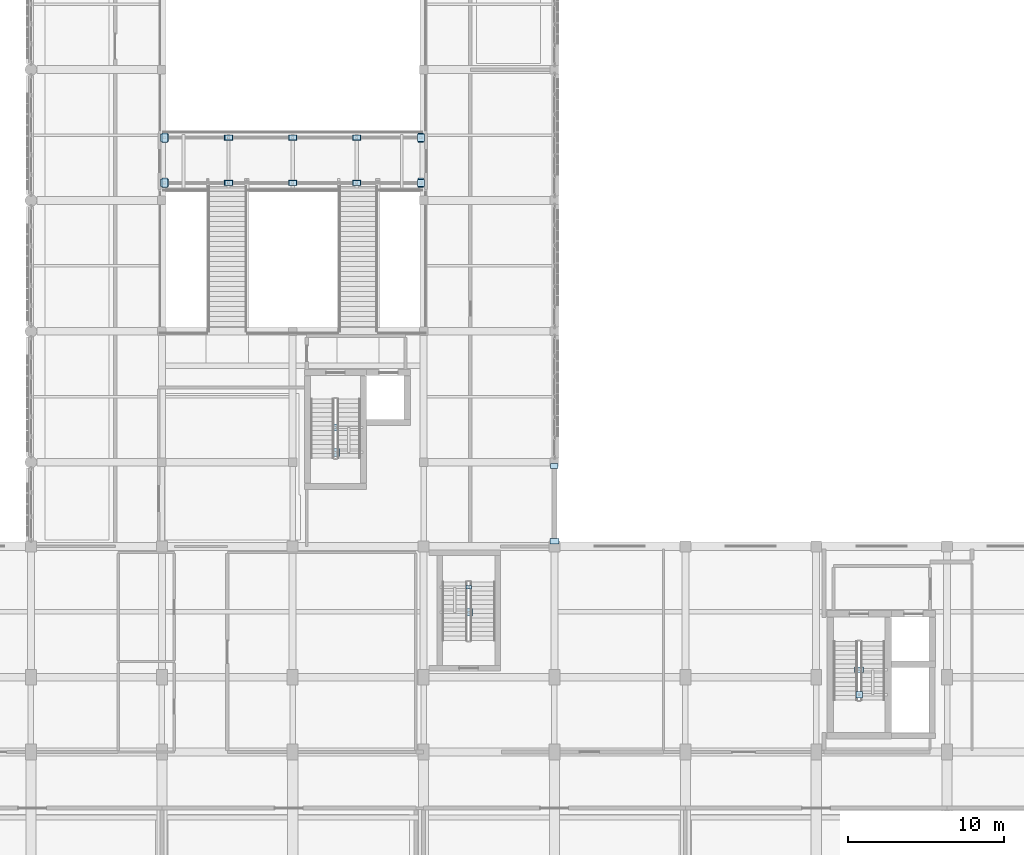
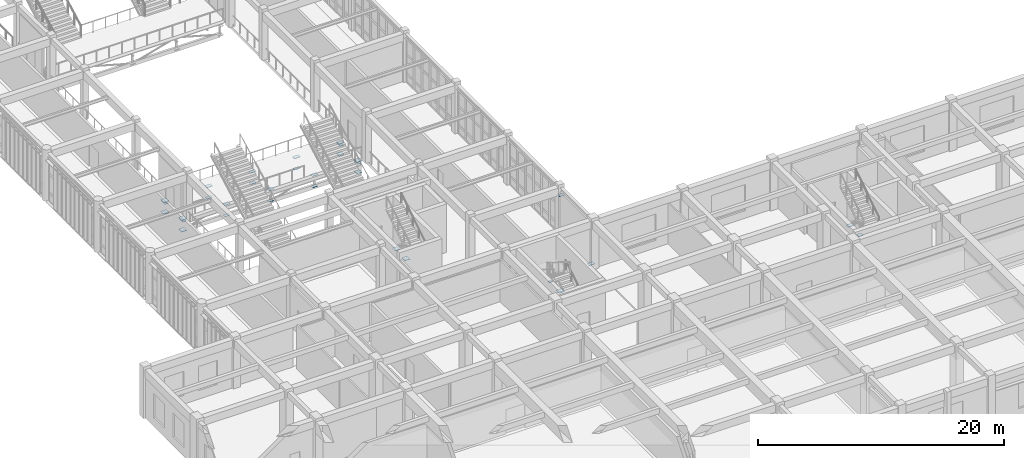
# One storey, part 80 of 106: 32 plates.
"""IFC4 building model written with IfcOpenShell, lengths in metres."""

import ifcopenshell
import ifcopenshell.guid

model = None  # the IFC model being written
_history = None  # IfcOwnerHistory: only IFC2X3 demands one
_inside = {}  # id of a spatial element -> (the spatial element, [elements in it])
_under = {}  # id of a project, library or spatial element -> (it, [spatial elements below it])
_declared = {}  # id of a project -> (the project, [libraries it declares])
_typed = {}  # id of a type object -> (the type object, [elements of that type])
_made_of = {}  # id of a material, layer set ... -> (it, [elements and type objects made of it])


def new_model(schema):
    """Start an empty IFC model of exactly this schema.

    Asked for "IFC4X3", IfcOpenShell would pick the latest addendum, in which some entities
    have other attributes; the version numbers below select the first issue.
    IFC2X3 requires an IfcOwnerHistory on every rooted entity: one is made here for all.
    """
    global model, _history
    if schema == "IFC4X3":
        model = ifcopenshell.file(schema_version=(4, 3, 0, 0))
    else:
        model = ifcopenshell.file(schema=schema)
    _inside.clear()
    _under.clear()
    _declared.clear()
    _typed.clear()
    _made_of.clear()
    _history = None
    if model.schema == "IFC2X3":
        org = make("IfcOrganization", Name="unknown")
        user = make(
            "IfcPersonAndOrganization",
            ThePerson=make("IfcPerson", FamilyName="unknown"),
            TheOrganization=org,
        )
        app = make(
            "IfcApplication",
            ApplicationDeveloper=org,
            Version="unknown",
            ApplicationFullName="unknown",
            ApplicationIdentifier="unknown",
        )
        _history = make(
            "IfcOwnerHistory",
            OwningUser=user,
            OwningApplication=app,
            ChangeAction="ADDED",
            CreationDate=0,
        )
    return model


def make(cls, **values):
    """One entity of the class cls with the attributes given. An attribute that is None is left unset."""
    return model.create_entity(
        cls, **{name: value for name, value in values.items() if value is not None}
    )


def rooted(cls, **values):
    """An entity with a GlobalId (a new one), such as an element, a storey or a relation."""
    return make(cls, GlobalId=ifcopenshell.guid.new(), OwnerHistory=_history, **values)


def si_unit(unit_type, name, prefix=None):
    """IfcSIUnit, for example si_unit("LENGTHUNIT", "METRE", prefix="MILLI")."""
    return make("IfcSIUnit", UnitType=unit_type, Prefix=prefix, Name=name)


def assignment(units):
    """IfcUnitAssignment: the units of a project."""
    return None if units is None else make("IfcUnitAssignment", Units=units)


def point(xyz):
    """IfcCartesianPoint."""
    return None if xyz is None else make("IfcCartesianPoint", Coordinates=xyz)


def direction(xyz):
    """IfcDirection."""
    return None if xyz is None else make("IfcDirection", DirectionRatios=xyz)


def frame(location, z_axis=None, x_axis=None):
    """IfcAxis2Placement3D, a coordinate frame: its origin and axes. An axis left out is left unset."""
    return make(
        "IfcAxis2Placement3D",
        Location=point(location),
        Axis=direction(z_axis),
        RefDirection=direction(x_axis),
    )


def frame_2d(location, x_axis=None):
    """IfcAxis2Placement2D, a coordinate frame in the plane: its origin and x axis."""
    return make(
        "IfcAxis2Placement2D", Location=point(location), RefDirection=direction(x_axis)
    )


def origin():
    """The frame at (0, 0, 0) with its axes left unset."""
    return frame((0.0, 0.0, 0.0))


def origin_2d():
    """The frame at (0, 0) in the plane with its x axis left unset."""
    return frame_2d((0.0, 0.0))


def place(relative_to, where):
    """IfcLocalPlacement: puts the frame where relative to a parent placement (None: the world)."""
    return make(
        "IfcLocalPlacement", PlacementRelTo=relative_to, RelativePlacement=where
    )


def context(
    kind, dimensions, precision=None, world=None, true_north=None, identifier=None
):
    """IfcGeometricRepresentationContext, for example the 3D "Model" context."""
    return make(
        "IfcGeometricRepresentationContext",
        ContextIdentifier=identifier,
        ContextType=kind,
        CoordinateSpaceDimension=dimensions,
        Precision=precision,
        WorldCoordinateSystem=world,
        TrueNorth=true_north,
    )


def subcontext(parent, identifier, kind, view, scale=None):
    """IfcGeometricRepresentationSubContext, for example "Body" below "Model"."""
    return make(
        "IfcGeometricRepresentationSubContext",
        ContextIdentifier=identifier,
        ContextType=kind,
        ParentContext=parent,
        TargetScale=scale,
        TargetView=view,
    )


def project(units=None, contexts=None):
    """IfcProject with its units and contexts."""
    return rooted(
        "IfcProject",
        Name="project",
        RepresentationContexts=contexts,
        UnitsInContext=assignment(units),
    )


def spatial(cls, under=None, at=None, **own):
    """A site, building, storey or space (cls), placed at a placement, below another one or the project."""
    s = rooted(cls, ObjectPlacement=at, **own)
    if under is not None:
        _under.setdefault(under.id(), (under, []))[1].append(s)
    return s


def profile(cls, at=None, kind="AREA", **sizes):
    """A parametric profile (cls). Its sizes go by their IFC names, for example OverallWidth=200.0."""
    return make(cls, ProfileType=kind, Position=at, **sizes)


def rectangle(**sizes):
    """IfcRectangleProfileDef."""
    return profile("IfcRectangleProfileDef", **sizes)


def extrude(swept, where, along, depth):
    """IfcExtrudedAreaSolid: the profile swept, set in the frame where, extruded along a direction by depth."""
    return make(
        "IfcExtrudedAreaSolid",
        SweptArea=swept,
        Position=where,
        ExtrudedDirection=direction(along),
        Depth=depth,
    )


def shape(context_of_items, identifier, shape_type, items):
    """IfcShapeRepresentation: the items that make up one representation, for example the "Body"."""
    return make(
        "IfcShapeRepresentation",
        ContextOfItems=context_of_items,
        RepresentationIdentifier=identifier,
        RepresentationType=shape_type,
        Items=items,
    )


def material(Name=None, Category=None):
    """IfcMaterial."""
    return make("IfcMaterial", Name=Name, Category=Category)


def layer(
    of_material, thickness, ventilated=None, Name=None, Category=None, Priority=None
):
    """IfcMaterialLayer: one layer of a wall or slab, of a material (None: an air gap)."""
    return make(
        "IfcMaterialLayer",
        Material=of_material,
        LayerThickness=thickness,
        IsVentilated=ventilated,
        Name=Name,
        Category=Category,
        Priority=Priority,
    )


def layer_set(layers, Name=None):
    """IfcMaterialLayerSet."""
    return make("IfcMaterialLayerSet", MaterialLayers=layers, LayerSetName=Name)


def made_of(thing, what):
    """Note that an element or type object is made of a material, layer set ...; save() writes the relation."""
    if what is not None:
        _made_of.setdefault(what.id(), (what, []))[1].append(thing)
    return thing


def type_object(cls, material=None, **own):
    """A type object (cls), such as IfcWallType, which elements share."""
    return made_of(rooted(cls, **own), material)


def element(
    cls,
    number,
    at=None,
    inside=None,
    cuts=None,
    type_object=None,
    material=None,
    context=None,
    identifier="Body",
    shape_type=None,
    held_by="IfcProductDefinitionShape",
    body=None,
    shapes=None,
    **own,
):
    """One element of the class cls, such as IfcWall. Its Tag is "e" and its number.

    at: its placement. inside: the storey or other place that contains it. cuts: it is an
    opening in that element (IfcRelVoidsElement). A single representation is given by context,
    identifier, shape_type and body (its items); several are given by shapes. held_by: the class
    of the entity that holds the representations. save() writes the other relations.
    """
    e = rooted(cls, Tag="e%d" % number, ObjectPlacement=at, **own)
    if body is not None:
        shapes = [shape(context, identifier, shape_type, body)]
    if shapes is not None:
        e.Representation = make(held_by, Representations=shapes)
    if inside is not None:
        _inside.setdefault(inside.id(), (inside, []))[1].append(e)
    if cuts is not None:
        rooted(
            "IfcRelVoidsElement", RelatingBuildingElement=cuts, RelatedOpeningElement=e
        )
    if type_object is not None:
        _typed.setdefault(type_object.id(), (type_object, []))[1].append(e)
    return made_of(e, material)


def aggregate(whole, parts):
    """IfcRelAggregates: a whole, such as a stair, and the parts it consists of."""
    return rooted("IfcRelAggregates", RelatingObject=whole, RelatedObjects=parts)


def save(model, path):
    """Write the relations noted so far, then the file.

    IfcRelAggregates (storeys below a building ...), IfcRelContainedInSpatialStructure (elements
    in a storey), IfcRelDefinesByType, IfcRelAssociatesMaterial and IfcRelDeclares: one each for
    every whole, place, type object, material and project.
    """
    for whole, parts in _under.values():
        aggregate(whole, parts)
    for where, things in _inside.values():
        rooted(
            "IfcRelContainedInSpatialStructure",
            RelatedElements=things,
            RelatingStructure=where,
        )
    for kind, things in _typed.values():
        rooted("IfcRelDefinesByType", RelatedObjects=things, RelatingType=kind)
    for what, things in _made_of.values():
        rooted("IfcRelAssociatesMaterial", RelatedObjects=things, RelatingMaterial=what)
    for by, libraries in _declared.values():
        rooted("IfcRelDeclares", RelatingContext=by, RelatedDefinitions=libraries)
    model.write(path)


model = new_model("IFC4")

# Units and contexts
model_context = context("Model", 3, precision=1e-05, world=origin(), true_north=direction((0.0, 1.0)))
body_context = subcontext(model_context, "Body", "Model", "MODEL_VIEW")
ifc_project = project(units=[si_unit("LENGTHUNIT", "METRE"), si_unit("AREAUNIT", "SQUARE_METRE"), si_unit("VOLUMEUNIT", "CUBIC_METRE"), si_unit("PLANEANGLEUNIT", "RADIAN"), si_unit("MASSUNIT", "GRAM", prefix="KILO")], contexts=[model_context])

# Site, building, storey
site_placement = place(None, origin())
site = spatial("IfcSite", under=ifc_project, at=site_placement, CompositionType="ELEMENT")
building_placement = place(site_placement, origin())
building = spatial("IfcBuilding", under=site, at=building_placement, Name="Krzemoval Escarpment Law Courts", CompositionType="ELEMENT")
storey_placement = place(building_placement, frame((0.0, 0.0, 5.10009765625)))
storey = spatial("IfcBuildingStorey", under=building, at=storey_placement, Name="L01", CompositionType="ELEMENT", Elevation=5.10009765625)

# Plates
ifc_material_1 = material(Name="Steel S355", Category="steel")
ifc_layer_1 = layer(ifc_material_1, 0.034912109375)
ifc_layer_set_1 = layer_set([ifc_layer_1], Name="Steel S355")
plate_type_1 = type_object("IfcPlateType", Name="PLT-BRG-SEAT360", PredefinedType="USERDEFINED", material=ifc_layer_set_1)
for number, where, z_axis, x_axis, name in (
    (1, (16.97998046875, 58.72998046875, -0.70556640625), (0.0, 0.0, 1.0), (1.0, 0.0, 0.0), "Sky-Bridge 360mm Sliding Bearing Seat BSP-0001"),
    (2, (33.419921875, 58.72998046875, -0.70556640625), (0.0, 0.0, 1.0), (1.0, 0.0, 0.0), "Sky-Bridge 360mm Sliding Bearing Seat BSP-0002"),
    (3, (16.97998046875, 61.6298828125, -0.70556640625), (0.0, 0.0, 1.0), (1.0, 0.0, 0.0), "Sky-Bridge 360mm Sliding Bearing Seat BSP-0003"),
    (4, (33.419921875, 61.6298828125, -0.70556640625), (0.0, 0.0, 1.0), (1.0, 0.0, 0.0), "Sky-Bridge 360mm Sliding Bearing Seat BSP-0004"),
):
    element("IfcPlate", number, at=place(storey_placement, frame(where, z_axis=z_axis, x_axis=x_axis)), inside=storey, type_object=plate_type_1, Name=name, ObjectType="FLANGE_PLATE", PredefinedType="USERDEFINED", context=body_context, shape_type="SweptSolid", body=[
        extrude(rectangle(XDim=0.360107421875, YDim=0.60009765625, at=origin_2d()), origin(), (0.0, 0.0, 1.0), 0.034912109375),
    ])
ifc_material_2 = material(Name="Steel S355", Category="steel")
ifc_layer_2 = layer(ifc_material_2, 0.02392578125)
ifc_layer_set_2 = layer_set([ifc_layer_2], Name="Steel S355")
plate_type_2 = type_object("IfcPlateType", Name="PLT-FLG-24", PredefinedType="USERDEFINED", material=ifc_layer_set_2)
plate_1_placement = place(storey_placement, frame((61.550048828125, 25.8798828125, 2.10791015625), z_axis=(0.0, 0.0, 1.0), x_axis=(1.0, 0.0, 0.0)))
element("IfcPlate", 5, at=plate_1_placement, inside=storey, type_object=plate_type_2, Name="Gusset and End-Cap Plate ECP-0366", ObjectType="FLANGE_PLATE", PredefinedType="USERDEFINED", context=body_context, shape_type="SweptSolid", body=[
    extrude(rectangle(XDim=0.419921875, YDim=0.419921875, at=origin_2d()), origin(), (0.0, 0.0, 1.0), 0.02392578125),
])
ifc_material_3 = material(Name="Steel S355", Category="steel")
ifc_layer_3 = layer(ifc_material_3, 0.034912109375)
ifc_layer_set_3 = layer_set([ifc_layer_3], Name="Steel S355")
plate_type_3 = type_object("IfcPlateType", Name="PLT-FLG-35", PredefinedType="USERDEFINED", material=ifc_layer_set_3)
for number, where, z_axis, x_axis, name in (
    (6, (33.429931640625, 58.72998046875, -1.6875), (0.0, 0.0, 1.0), (1.0, 0.0, 0.0), "Gusset and End-Cap Plate ECP-0133"),
    (7, (33.429931640625, 58.72998046875, -0.53759765625), (0.0, 0.0, 1.0), (1.0, 0.0, 0.0), "Gusset and End-Cap Plate ECP-0135"),
    (8, (33.429931640625, 61.6298828125, -1.6875), (0.0, 0.0, 1.0), (1.0, 0.0, 0.0), "Gusset and End-Cap Plate ECP-0143"),
    (9, (33.429931640625, 61.6298828125, -0.53759765625), (0.0, 0.0, 1.0), (1.0, 0.0, 0.0), "Gusset and End-Cap Plate ECP-0145"),
    (10, (27.949951171875, 43.030029296875, 2.1025390625), (0.0, 0.0, 1.0), (1.0, 0.0, 0.0), "Gusset and End-Cap Plate ECP-0379"),
):
    element("IfcPlate", number, at=place(storey_placement, frame(where, z_axis=z_axis, x_axis=x_axis)), inside=storey, type_object=plate_type_3, Name=name, ObjectType="FLANGE_PLATE", PredefinedType="USERDEFINED", context=body_context, shape_type="SweptSolid", body=[
        extrude(rectangle(XDim=0.4599609375, YDim=0.4599609375, at=origin_2d()), origin(), (0.0, 0.0, 1.0), 0.034912109375),
    ])
ifc_material_4 = material(Name="Steel S355", Category="steel")
ifc_layer_4 = layer(ifc_material_4, 0.0400390625)
ifc_layer_set_4 = layer_set([ifc_layer_4], Name="Steel S355")
plate_type_4 = type_object("IfcPlateType", Name="PLT-FLG-40", PredefinedType="USERDEFINED", material=ifc_layer_set_4)
for number, where, z_axis, x_axis, name in (
    (11, (16.969970703125, 58.72998046875, -1.690185546875), (0.0, 0.0, 1.0), (1.0, 0.0, 0.0), "Gusset and End-Cap Plate ECP-0132"),
    (12, (16.969970703125, 58.72998046875, -0.5400390625), (0.0, 0.0, 1.0), (1.0, 0.0, 0.0), "Gusset and End-Cap Plate ECP-0134"),
    (13, (16.969970703125, 61.6298828125, -1.690185546875), (0.0, 0.0, 1.0), (1.0, 0.0, 0.0), "Gusset and End-Cap Plate ECP-0142"),
    (14, (16.969970703125, 61.6298828125, -0.5400390625), (0.0, 0.0, 1.0), (1.0, 0.0, 0.0), "Gusset and End-Cap Plate ECP-0144"),
    (15, (27.949951171875, 41.429931640625, 2.099853515625), (0.0, 0.0, 1.0), (1.0, 0.0, 0.0), "Gusset and End-Cap Plate ECP-0378"),
    (16, (36.5, 31.169921875, 2.099853515625), (0.0, 0.0, 1.0), (1.0, 0.0, 0.0), "Gusset and End-Cap Plate ECP-0399"),
):
    element("IfcPlate", number, at=place(storey_placement, frame(where, z_axis=z_axis, x_axis=x_axis)), inside=storey, type_object=plate_type_4, Name=name, ObjectType="FLANGE_PLATE", PredefinedType="USERDEFINED", context=body_context, shape_type="SweptSolid", body=[
        extrude(rectangle(XDim=0.5, YDim=0.5, at=origin_2d()), origin(), (0.0, 0.0, 1.0), 0.0400390625),
    ])
ifc_material_5 = material(Name="Steel S355", Category="steel")
ifc_layer_5 = layer(ifc_material_5, 0.011962890625)
ifc_layer_set_5 = layer_set([ifc_layer_5], Name="Steel S355")
plate_type_5 = type_object("IfcPlateType", Name="PLT-GUS-12", PredefinedType="USERDEFINED", material=ifc_layer_set_5)
plate_2_placement = place(storey_placement, frame((36.5, 32.77001953125, 2.11376953125), z_axis=(0.0, 0.0, 1.0), x_axis=(1.0, 0.0, 0.0)))
element("IfcPlate", 17, at=plate_2_placement, inside=storey, type_object=plate_type_5, Name="Gusset and End-Cap Plate ECP-0398", ObjectType="GUSSET_PLATE", PredefinedType="USERDEFINED", context=body_context, shape_type="SweptSolid", body=[
    extrude(rectangle(XDim=0.340087890625, YDim=0.219970703125, at=origin_2d()), origin(), (0.0, 0.0, 1.0), 0.011962890625),
])
ifc_material_6 = material(Name="Steel S355", Category="steel")
ifc_layer_6 = layer(ifc_material_6, 0.02001953125)
ifc_layer_set_6 = layer_set([ifc_layer_6], Name="Steel S355")
plate_type_6 = type_object("IfcPlateType", Name="PLT-GUS-20", PredefinedType="USERDEFINED", material=ifc_layer_set_6)
for number, where, z_axis, x_axis, name in (
    (18, (25.199951171875, 58.72998046875, -1.68017578125), (0.0, 0.0, 1.0), (1.0, 0.0, 0.0), "Gusset and End-Cap Plate ECP-0137"),
    (19, (21.0849609375, 58.72998046875, -1.68017578125), (0.0, 0.0, 1.0), (1.0, 0.0, 0.0), "Gusset and End-Cap Plate ECP-0139"),
    (20, (29.31494140625, 58.72998046875, -1.68017578125), (0.0, 0.0, 1.0), (1.0, 0.0, 0.0), "Gusset and End-Cap Plate ECP-0141"),
    (21, (25.199951171875, 61.6298828125, -1.68017578125), (0.0, 0.0, 1.0), (1.0, 0.0, 0.0), "Gusset and End-Cap Plate ECP-0147"),
    (22, (21.0849609375, 61.6298828125, -1.68017578125), (0.0, 0.0, 1.0), (1.0, 0.0, 0.0), "Gusset and End-Cap Plate ECP-0149"),
    (23, (29.31494140625, 61.6298828125, -1.68017578125), (0.0, 0.0, 1.0), (1.0, 0.0, 0.0), "Gusset and End-Cap Plate ECP-0151"),
    (24, (42.0, 40.550048828125, 4.02978515625), (0.0, 0.0, 1.0), (1.0, 0.0, 0.0), "Gusset and End-Cap Plate ECP-0259"),
):
    element("IfcPlate", number, at=place(storey_placement, frame(where, z_axis=z_axis, x_axis=x_axis)), inside=storey, type_object=plate_type_6, Name=name, ObjectType="GUSSET_PLATE", PredefinedType="USERDEFINED", context=body_context, shape_type="SweptSolid", body=[
        extrude(rectangle(XDim=0.47998046875, YDim=0.320068359375, at=origin_2d()), origin(), (0.0, 0.0, 1.0), 0.02001953125),
    ])
ifc_material_7 = material(Name="Steel S355", Category="steel")
ifc_layer_7 = layer(ifc_material_7, 0.030029296875)
ifc_layer_set_7 = layer_set([ifc_layer_7], Name="Steel S355")
plate_type_7 = type_object("IfcPlateType", Name="PLT-GUS-30", PredefinedType="USERDEFINED", material=ifc_layer_set_7)
for number, where, z_axis, x_axis, name in (
    (25, (21.0849609375, 58.72998046875, -0.53515625), (0.0, 0.0, 1.0), (1.0, 0.0, 0.0), "Gusset and End-Cap Plate ECP-0136"),
    (26, (29.31494140625, 58.72998046875, -0.53515625), (0.0, 0.0, 1.0), (1.0, 0.0, 0.0), "Gusset and End-Cap Plate ECP-0138"),
    (27, (25.199951171875, 58.72998046875, -0.53515625), (0.0, 0.0, 1.0), (1.0, 0.0, 0.0), "Gusset and End-Cap Plate ECP-0140"),
    (28, (21.0849609375, 61.6298828125, -0.53515625), (0.0, 0.0, 1.0), (1.0, 0.0, 0.0), "Gusset and End-Cap Plate ECP-0146"),
    (29, (29.31494140625, 61.6298828125, -0.53515625), (0.0, 0.0, 1.0), (1.0, 0.0, 0.0), "Gusset and End-Cap Plate ECP-0148"),
    (30, (25.199951171875, 61.6298828125, -0.53515625), (0.0, 0.0, 1.0), (1.0, 0.0, 0.0), "Gusset and End-Cap Plate ECP-0150"),
    (31, (42.0, 35.72509765625, 0.125), (0.0, 0.0, 1.0), (1.0, 0.0, 0.0), "Gusset and End-Cap Plate ECP-0258"),
    (32, (61.550048828125, 27.47998046875, 2.10498046875), (0.0, 0.0, 1.0), (1.0, 0.0, 0.0), "Gusset and End-Cap Plate ECP-0367"),
):
    element("IfcPlate", number, at=place(storey_placement, frame(where, z_axis=z_axis, x_axis=x_axis)), inside=storey, type_object=plate_type_7, Name=name, ObjectType="GUSSET_PLATE", PredefinedType="USERDEFINED", context=body_context, shape_type="SweptSolid", body=[
        extrude(rectangle(XDim=0.56005859375, YDim=0.360107421875, at=origin_2d()), origin(), (0.0, 0.0, 1.0), 0.030029296875),
    ])

save(model, "model.ifc")
